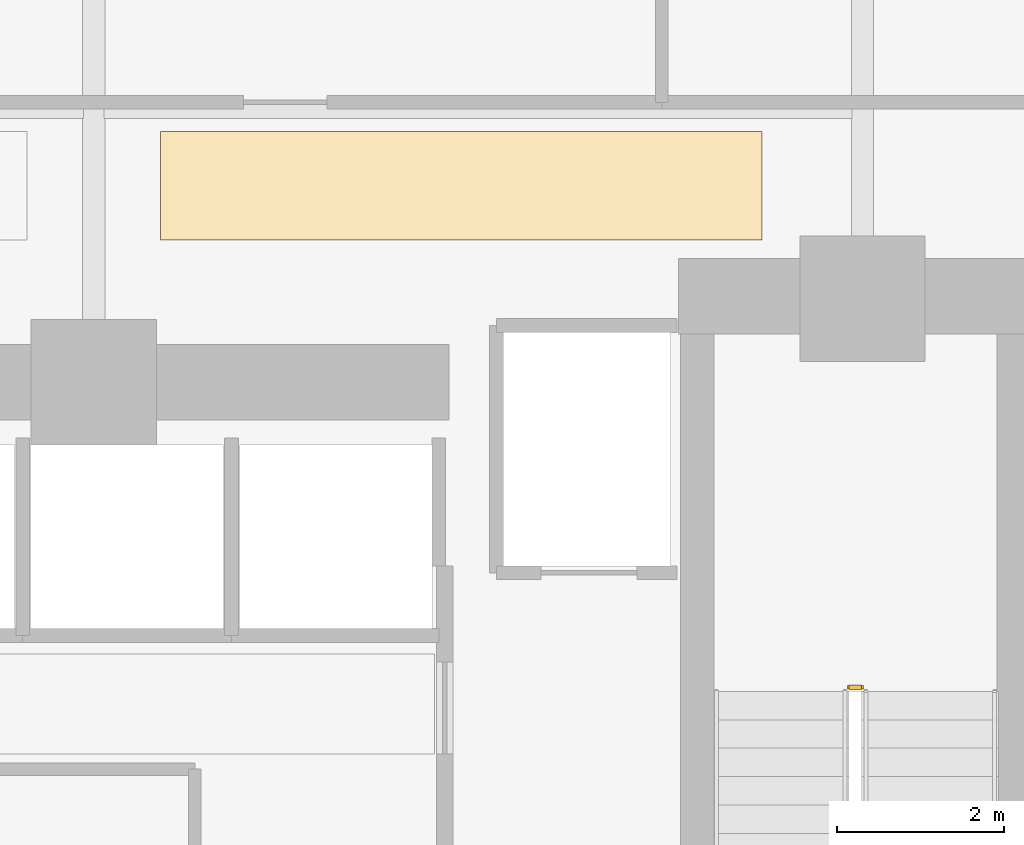
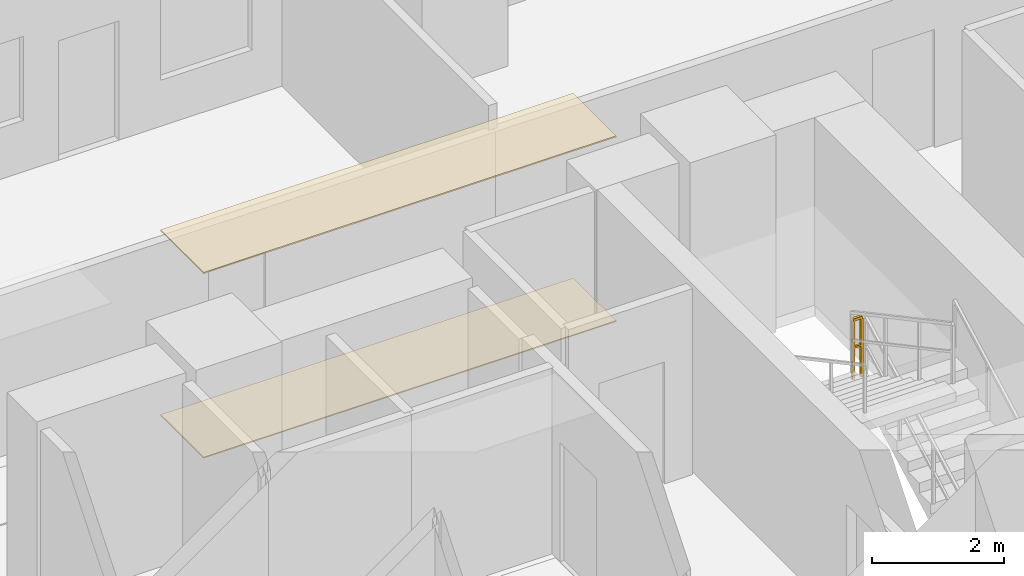
# One storey, part 27 of 28: 2 coverings, 1 railing.
"""IFC4 building model written with IfcOpenShell, lengths in metres."""

from ifc_helpers import new_model, si_unit, direction, frame, origin, origin_2d, place, context, subcontext, project, spatial, polyline, rectangle, outline, extrude, material, layer, layer_set, type_object, element, save


model = new_model("IFC4")

# Units and contexts
model_context = context("Model", 3, precision=1e-05, world=origin(), true_north=direction((0.0, 1.0)))
body_context = subcontext(model_context, "Body", "Model", "MODEL_VIEW")
ifc_project = project(units=[si_unit("LENGTHUNIT", "METRE"), si_unit("AREAUNIT", "SQUARE_METRE"), si_unit("VOLUMEUNIT", "CUBIC_METRE"), si_unit("PLANEANGLEUNIT", "RADIAN"), si_unit("MASSUNIT", "GRAM", prefix="KILO")], contexts=[model_context])

# Site, building, storey
site_placement = place(None, origin())
site = spatial("IfcSite", under=ifc_project, at=site_placement, CompositionType="ELEMENT")
building_placement = place(site_placement, origin())
building = spatial("IfcBuilding", under=site, at=building_placement, Name="Zuhayl Quay Hotel", CompositionType="ELEMENT")
storey_placement = place(building_placement, frame((0.0, 0.0, 78.699951171875)))
storey = spatial("IfcBuildingStorey", under=building, at=storey_placement, Name="L19", CompositionType="ELEMENT", Elevation=78.699951171875)

# Coverings
ifc_material_1 = material(Name="Acoustic Mineral-Fibre Gypsum Board")
ifc_layer_1 = layer(ifc_material_1, 0.02490234375, Name="Acoustic Mineral-Fibre Gypsum Board")
ifc_layer_set_1 = layer_set([ifc_layer_1], Name="Acoustic Mineral-Fibre Gypsum Board")
covering_type_1 = type_object("IfcCoveringType", Name="CV_CEIL_ACOUSTIC", PredefinedType="CEILING", material=ifc_layer_set_1)
covering_1_placement = place(storey_placement, frame((0.0, 0.0, 3.405029296875)))
element("IfcCovering", 1, at=covering_1_placement, inside=storey, type_object=covering_type_1, Name="L19 Guest Corridor Acoustic Ceiling CE", PredefinedType="CEILING", context=body_context, shape_type="SweptSolid", body=[
    extrude(outline(polyline([(5.39990234375, 15.050048828125), (12.60009765625, 15.050048828125), (12.60009765625, 16.35009765625), (5.39990234375, 16.35009765625), (5.39990234375, 15.050048828125)])), origin(), (0.0, 0.0, 1.0), 0.02490234375),
])
ifc_material_2 = material(Name="Polished Limestone Terrazzo", Category="masonry")
ifc_layer_2 = layer(ifc_material_2, 0.02001953125, Name="Polished Limestone Terrazzo", Category="masonry")
ifc_layer_set_2 = layer_set([ifc_layer_2], Name="Polished Limestone Terrazzo")
covering_type_2 = type_object("IfcCoveringType", Name="CV_FLOOR_TERRAZZO", PredefinedType="FLOORING", material=ifc_layer_set_2)
covering_2_placement = place(storey_placement, origin())
element("IfcCovering", 2, at=covering_2_placement, inside=storey, type_object=covering_type_2, Name="L19 Guest Corridor Terrazzo Runner CE", PredefinedType="FLOORING", context=body_context, shape_type="SweptSolid", body=[
    extrude(outline(polyline([(5.39990234375, 15.050048828125), (12.60009765625, 15.050048828125), (12.60009765625, 16.35009765625), (5.39990234375, 16.35009765625), (5.39990234375, 15.050048828125)])), origin(), (0.0, 0.0, 1.0), 0.02001953125),
])

# Railing
ifc_material_3 = material(Name="Steel ASTM A992 Grade 50", Category="steel")
railing_type = type_object("IfcRailingType", Name="RL_GUARD_1100", PredefinedType="GUARDRAIL", material=ifc_material_3)
railing_placement = place(storey_placement, frame((13.7900390625, 9.699951171875, 1.824951171875)))
element("IfcRailing", 3, at=railing_placement, inside=storey, type_object=railing_type, Name="L19 ST2 stair guard 2", PredefinedType="GUARDRAIL", context=body_context, shape_type="SweptSolid", body=[
    extrude(rectangle(XDim=0.048095703125, YDim=0.048095703125, at=origin_2d()), frame((0.0, 0.0, 1.09619140625), z_axis=(-1.0, 0.0, 0.0), x_axis=(0.0, -1.0, 0.0)), (0.0, 0.0, 1.0), 0.150146484375),
    extrude(rectangle(XDim=0.0361328125, YDim=0.0361328125, at=origin_2d()), frame((0.0, 0.0, 0.58251953125), z_axis=(-1.0, 0.0, 0.0), x_axis=(0.0, -1.0, 0.0)), (0.0, 0.0, 1.0), 0.150146484375),
    extrude(rectangle(XDim=0.0419921875, YDim=0.0419921875, at=origin_2d()), origin(), (0.0, 0.0, 1.0), 1.072021484375),
    extrude(rectangle(XDim=0.0419921875, YDim=0.0419921875, at=origin_2d()), frame((-0.150146484375, 0.0, 0.0)), (0.0, 0.0, 1.0), 1.072021484375),
])

save(model, "model.ifc")
